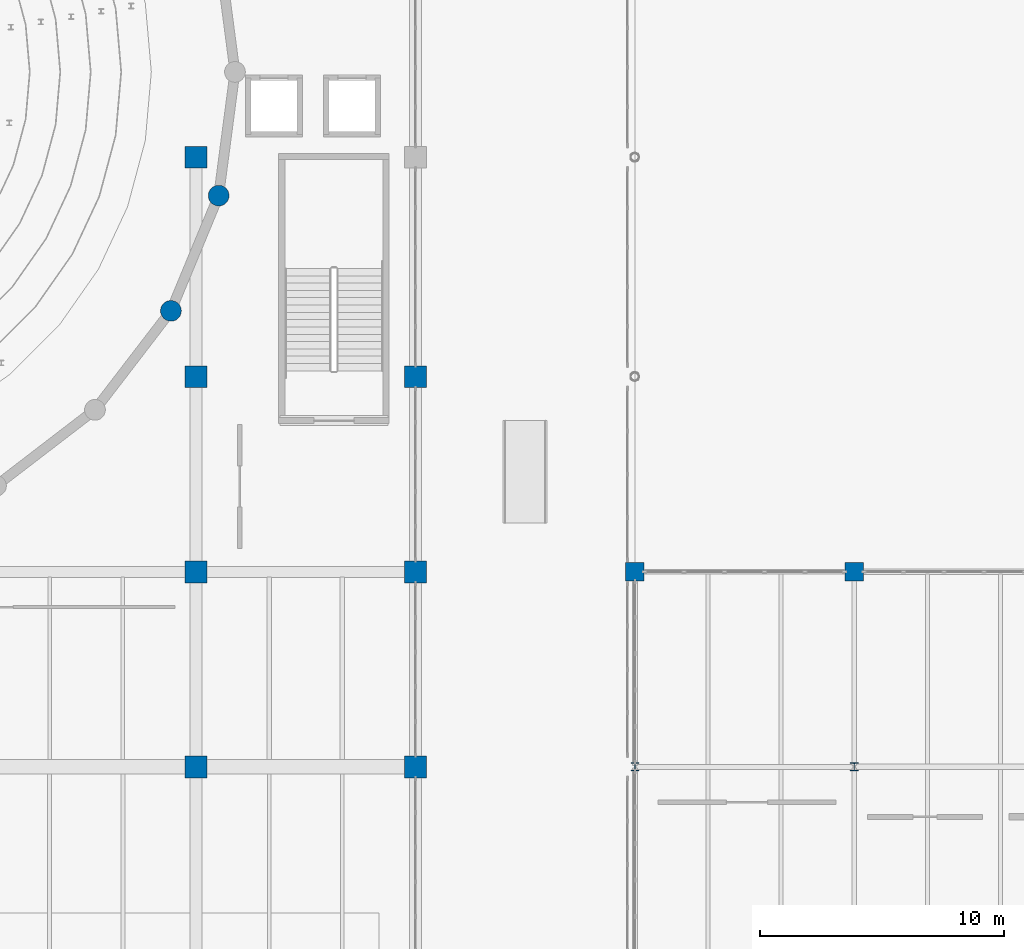
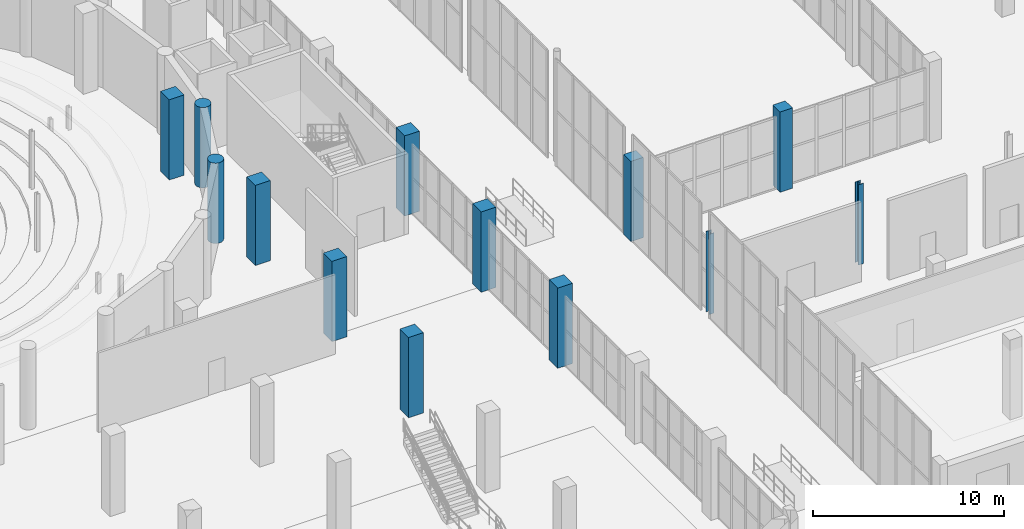
# One storey, part 16 of 103: 13 columns.
"""IFC4 building model written with IfcOpenShell, lengths in metres."""

from ifc_helpers import new_model, si_unit, direction, frame, origin, origin_2d, place, context, subcontext, project, spatial, rectangle, circle, i_section, extrude, material, material_profile, profile_set, type_object, element, save


model = new_model("IFC4")

# Units and contexts
model_context = context("Model", 3, precision=1e-05, world=origin(), true_north=direction((0.0, 1.0)))
body_context = subcontext(model_context, "Body", "Model", "MODEL_VIEW")
ifc_project = project(units=[si_unit("LENGTHUNIT", "METRE"), si_unit("AREAUNIT", "SQUARE_METRE"), si_unit("VOLUMEUNIT", "CUBIC_METRE"), si_unit("PLANEANGLEUNIT", "RADIAN"), si_unit("MASSUNIT", "GRAM", prefix="KILO")], contexts=[model_context])

# Site, building, storey
site_placement = place(None, origin())
site = spatial("IfcSite", under=ifc_project, at=site_placement, CompositionType="ELEMENT")
building_placement = place(site_placement, origin())
building = spatial("IfcBuilding", under=site, at=building_placement, Name="Marnock Terrace Opera House", CompositionType="ELEMENT")
storey_placement = place(building_placement, origin())
storey = spatial("IfcBuildingStorey", under=building, at=storey_placement, Name="L00", CompositionType="ELEMENT", Elevation=0.0)

# Columns
ifc_material_1 = material(Name="Concrete N50 (f'c = 50 MPa)", Category="concrete")
ifc_material_profile_1 = material_profile(ifc_material_1, circle(Radius=0.425048828125, at=origin_2d()))
ifc_profile_set_1 = profile_set([ifc_material_profile_1], Name="Concrete N50 (f'c = 50 MPa)")
column_type_1 = type_object("IfcColumnType", Name="COL-DRUM-850", PredefinedType="COLUMN", material=ifc_profile_set_1)
for number, where, z_axis, x_axis, name in (
    (1, (98.97412109375, 50.699951171875, 0.0), (0.0, 0.0, 1.0), (1.0, 0.0, 0.0), "L00 auditorium drum pier 23"),
    (2, (100.931884765625, 55.427001953125, 0.0), (0.0, 0.0, 1.0), (1.0, 0.0, 0.0), "L00 auditorium drum pier 24"),
):
    element("IfcColumn", number, at=place(storey_placement, frame(where, z_axis=z_axis, x_axis=x_axis)), inside=storey, type_object=column_type_1, Name=name, PredefinedType="COLUMN", context=body_context, shape_type="SweptSolid", body=[
        extrude(circle(Radius=0.425048828125, at=origin_2d()), origin(), (0.0, 0.0, 1.0), 5.1201171875),
    ])
ifc_material_profile_2 = material_profile(ifc_material_1, rectangle(XDim=0.75, YDim=0.75, at=origin_2d()))
ifc_profile_set_2 = profile_set([ifc_material_profile_2], Name="Concrete N50 (f'c = 50 MPa)")
column_type_2 = type_object("IfcColumnType", Name="COL-RC750", PredefinedType="COLUMN", material=ifc_profile_set_2)
for number, where, z_axis, x_axis, name in (
    (3, (118.0, 40.0, 0.0), (0.0, 0.0, 1.0), (1.0, 0.0, 0.0), "L00 column at (118.0, 40.0)"),
    (4, (127.0, 40.0, 0.0), (0.0, 0.0, 1.0), (1.0, 0.0, 0.0), "L00 column at (127.0, 40.0)"),
):
    element("IfcColumn", number, at=place(storey_placement, frame(where, z_axis=z_axis, x_axis=x_axis)), inside=storey, type_object=column_type_2, Name=name, PredefinedType="COLUMN", context=body_context, shape_type="SweptSolid", body=[
        extrude(rectangle(XDim=0.75, YDim=0.75, at=origin_2d()), origin(), (0.0, 0.0, 1.0), 5.1201171875),
    ])
ifc_material_profile_3 = material_profile(ifc_material_1, rectangle(XDim=0.89990234375, YDim=0.89990234375, at=origin_2d()))
ifc_profile_set_3 = profile_set([ifc_material_profile_3], Name="Concrete N50 (f'c = 50 MPa)")
column_type_3 = type_object("IfcColumnType", Name="COL-RC900", PredefinedType="COLUMN", material=ifc_profile_set_3)
for number, where, z_axis, x_axis, name in (
    (5, (100.0, 32.0, 0.0), (0.0, 0.0, 1.0), (1.0, 0.0, 0.0), "L00 column at (100.0, 32.0)"),
    (6, (100.0, 40.0, 0.0), (0.0, 0.0, 1.0), (1.0, 0.0, 0.0), "L00 column at (100.0, 40.0)"),
    (7, (100.0, 48.0, 0.0), (0.0, 0.0, 1.0), (1.0, 0.0, 0.0), "L00 column at (100.0, 48.0)"),
    (8, (100.0, 57.0, 0.0), (0.0, 0.0, 1.0), (1.0, 0.0, 0.0), "L00 column at (100.0, 57.0)"),
    (9, (109.0, 32.0, 0.0), (0.0, 0.0, 1.0), (1.0, 0.0, 0.0), "L00 column at (109.0, 32.0)"),
    (10, (109.0, 40.0, 0.0), (0.0, 0.0, 1.0), (1.0, 0.0, 0.0), "L00 column at (109.0, 40.0)"),
    (11, (109.0, 48.0, 0.0), (0.0, 0.0, 1.0), (1.0, 0.0, 0.0), "L00 column at (109.0, 48.0)"),
):
    element("IfcColumn", number, at=place(storey_placement, frame(where, z_axis=z_axis, x_axis=x_axis)), inside=storey, type_object=column_type_3, Name=name, PredefinedType="COLUMN", context=body_context, shape_type="SweptSolid", body=[
        extrude(rectangle(XDim=0.89990234375, YDim=0.89990234375, at=origin_2d()), origin(), (0.0, 0.0, 1.0), 5.1201171875),
    ])
ifc_material_2 = material(Name="Steel Grade 350 (AS/NZS 3679.1)", Category="steel")
ifc_material_profile_4 = material_profile(ifc_material_2, i_section(OverallWidth=0.31103515625, OverallDepth=0.3271484375, WebThickness=0.015625, FlangeThickness=0.02490234375, FilletRadius=0.0166015625, at=origin_2d()))
ifc_profile_set_4 = profile_set([ifc_material_profile_4], Name="Steel Grade 350 (AS/NZS 3679.1)")
column_type_4 = type_object("IfcColumnType", Name="COL-UC310A", PredefinedType="COLUMN", material=ifc_profile_set_4)
for number, where, z_axis, x_axis, name in (
    (12, (118.0, 32.0, 0.0), (0.0, 0.0, 1.0), (1.0, 0.0, 0.0), "L00 column at (118.0, 32.0)"),
    (13, (127.0, 32.0, 0.0), (0.0, 0.0, 1.0), (1.0, 0.0, 0.0), "L00 column at (127.0, 32.0)"),
):
    element("IfcColumn", number, at=place(storey_placement, frame(where, z_axis=z_axis, x_axis=x_axis)), inside=storey, type_object=column_type_4, Name=name, PredefinedType="COLUMN", context=body_context, shape_type="SweptSolid", body=[
        extrude(i_section(OverallWidth=0.31103515625, OverallDepth=0.3271484375, WebThickness=0.015625, FlangeThickness=0.02490234375, FilletRadius=0.0166015625, at=origin_2d()), origin(), (0.0, 0.0, 1.0), 5.1201171875),
    ])

save(model, "model.ifc")
